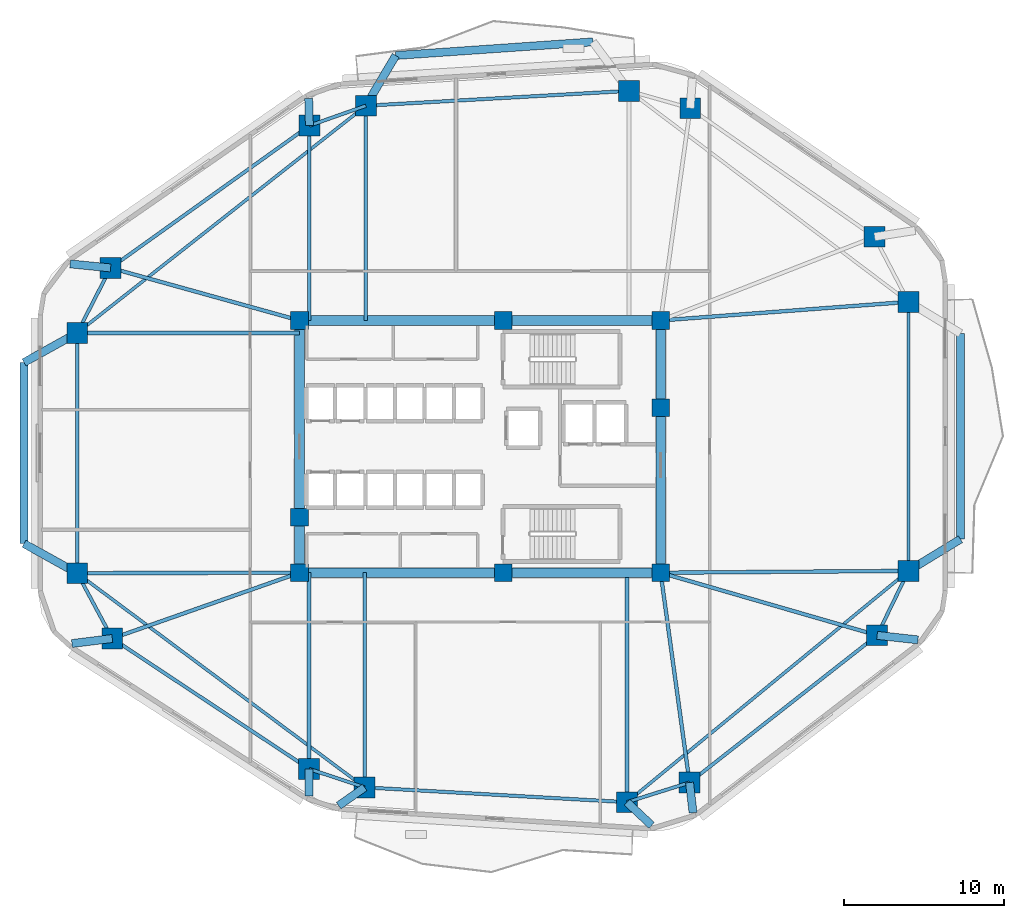
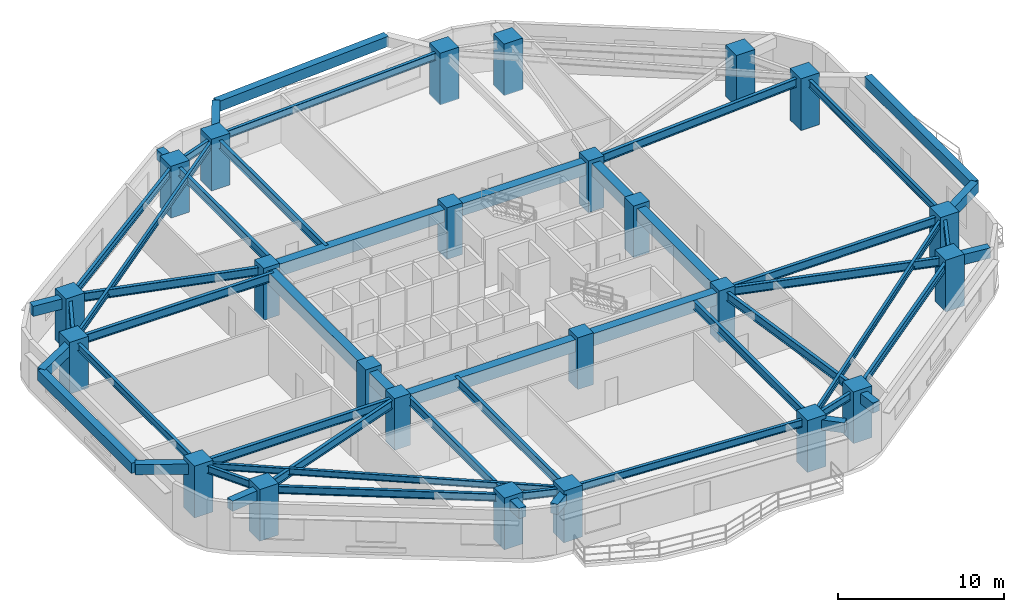
# One storey, part 1 of 8: 52 beams, 24 columns.
"""IFC4 building model written with IfcOpenShell, lengths in metres."""

import ifcopenshell
import ifcopenshell.guid

model = None  # the IFC model being written
_history = None  # IfcOwnerHistory: only IFC2X3 demands one
_inside = {}  # id of a spatial element -> (the spatial element, [elements in it])
_under = {}  # id of a project, library or spatial element -> (it, [spatial elements below it])
_declared = {}  # id of a project -> (the project, [libraries it declares])
_typed = {}  # id of a type object -> (the type object, [elements of that type])
_made_of = {}  # id of a material, layer set ... -> (it, [elements and type objects made of it])


def new_model(schema):
    """Start an empty IFC model of exactly this schema.

    Asked for "IFC4X3", IfcOpenShell would pick the latest addendum, in which some entities
    have other attributes; the version numbers below select the first issue.
    IFC2X3 requires an IfcOwnerHistory on every rooted entity: one is made here for all.
    """
    global model, _history
    if schema == "IFC4X3":
        model = ifcopenshell.file(schema_version=(4, 3, 0, 0))
    else:
        model = ifcopenshell.file(schema=schema)
    _inside.clear()
    _under.clear()
    _declared.clear()
    _typed.clear()
    _made_of.clear()
    _history = None
    if model.schema == "IFC2X3":
        org = make("IfcOrganization", Name="unknown")
        user = make(
            "IfcPersonAndOrganization",
            ThePerson=make("IfcPerson", FamilyName="unknown"),
            TheOrganization=org,
        )
        app = make(
            "IfcApplication",
            ApplicationDeveloper=org,
            Version="unknown",
            ApplicationFullName="unknown",
            ApplicationIdentifier="unknown",
        )
        _history = make(
            "IfcOwnerHistory",
            OwningUser=user,
            OwningApplication=app,
            ChangeAction="ADDED",
            CreationDate=0,
        )
    return model


def make(cls, **values):
    """One entity of the class cls with the attributes given. An attribute that is None is left unset."""
    return model.create_entity(
        cls, **{name: value for name, value in values.items() if value is not None}
    )


def rooted(cls, **values):
    """An entity with a GlobalId (a new one), such as an element, a storey or a relation."""
    return make(cls, GlobalId=ifcopenshell.guid.new(), OwnerHistory=_history, **values)


def si_unit(unit_type, name, prefix=None):
    """IfcSIUnit, for example si_unit("LENGTHUNIT", "METRE", prefix="MILLI")."""
    return make("IfcSIUnit", UnitType=unit_type, Prefix=prefix, Name=name)


def assignment(units):
    """IfcUnitAssignment: the units of a project."""
    return None if units is None else make("IfcUnitAssignment", Units=units)


def point(xyz):
    """IfcCartesianPoint."""
    return None if xyz is None else make("IfcCartesianPoint", Coordinates=xyz)


def direction(xyz):
    """IfcDirection."""
    return None if xyz is None else make("IfcDirection", DirectionRatios=xyz)


def frame(location, z_axis=None, x_axis=None):
    """IfcAxis2Placement3D, a coordinate frame: its origin and axes. An axis left out is left unset."""
    return make(
        "IfcAxis2Placement3D",
        Location=point(location),
        Axis=direction(z_axis),
        RefDirection=direction(x_axis),
    )


def frame_2d(location, x_axis=None):
    """IfcAxis2Placement2D, a coordinate frame in the plane: its origin and x axis."""
    return make(
        "IfcAxis2Placement2D", Location=point(location), RefDirection=direction(x_axis)
    )


def origin():
    """The frame at (0, 0, 0) with its axes left unset."""
    return frame((0.0, 0.0, 0.0))


def origin_2d():
    """The frame at (0, 0) in the plane with its x axis left unset."""
    return frame_2d((0.0, 0.0))


def place(relative_to, where):
    """IfcLocalPlacement: puts the frame where relative to a parent placement (None: the world)."""
    return make(
        "IfcLocalPlacement", PlacementRelTo=relative_to, RelativePlacement=where
    )


def context(
    kind, dimensions, precision=None, world=None, true_north=None, identifier=None
):
    """IfcGeometricRepresentationContext, for example the 3D "Model" context."""
    return make(
        "IfcGeometricRepresentationContext",
        ContextIdentifier=identifier,
        ContextType=kind,
        CoordinateSpaceDimension=dimensions,
        Precision=precision,
        WorldCoordinateSystem=world,
        TrueNorth=true_north,
    )


def subcontext(parent, identifier, kind, view, scale=None):
    """IfcGeometricRepresentationSubContext, for example "Body" below "Model"."""
    return make(
        "IfcGeometricRepresentationSubContext",
        ContextIdentifier=identifier,
        ContextType=kind,
        ParentContext=parent,
        TargetScale=scale,
        TargetView=view,
    )


def project(units=None, contexts=None):
    """IfcProject with its units and contexts."""
    return rooted(
        "IfcProject",
        Name="project",
        RepresentationContexts=contexts,
        UnitsInContext=assignment(units),
    )


def spatial(cls, under=None, at=None, **own):
    """A site, building, storey or space (cls), placed at a placement, below another one or the project."""
    s = rooted(cls, ObjectPlacement=at, **own)
    if under is not None:
        _under.setdefault(under.id(), (under, []))[1].append(s)
    return s


def profile(cls, at=None, kind="AREA", **sizes):
    """A parametric profile (cls). Its sizes go by their IFC names, for example OverallWidth=200.0."""
    return make(cls, ProfileType=kind, Position=at, **sizes)


def rectangle(**sizes):
    """IfcRectangleProfileDef."""
    return profile("IfcRectangleProfileDef", **sizes)


def i_section(**sizes):
    """IfcIShapeProfileDef."""
    return profile("IfcIShapeProfileDef", **sizes)


def extrude(swept, where, along, depth):
    """IfcExtrudedAreaSolid: the profile swept, set in the frame where, extruded along a direction by depth."""
    return make(
        "IfcExtrudedAreaSolid",
        SweptArea=swept,
        Position=where,
        ExtrudedDirection=direction(along),
        Depth=depth,
    )


def shape(context_of_items, identifier, shape_type, items):
    """IfcShapeRepresentation: the items that make up one representation, for example the "Body"."""
    return make(
        "IfcShapeRepresentation",
        ContextOfItems=context_of_items,
        RepresentationIdentifier=identifier,
        RepresentationType=shape_type,
        Items=items,
    )


def material(Name=None, Category=None):
    """IfcMaterial."""
    return make("IfcMaterial", Name=Name, Category=Category)


def material_profile(
    of_material, cross_section, Name=None, Category=None, Priority=None
):
    """IfcMaterialProfile: a cross section and its material."""
    return make(
        "IfcMaterialProfile",
        Name=Name,
        Material=of_material,
        Profile=cross_section,
        Priority=Priority,
        Category=Category,
    )


def profile_set(profiles, Name=None, composite=None):
    """IfcMaterialProfileSet."""
    return make(
        "IfcMaterialProfileSet",
        Name=Name,
        MaterialProfiles=profiles,
        CompositeProfile=composite,
    )


def made_of(thing, what):
    """Note that an element or type object is made of a material, layer set ...; save() writes the relation."""
    if what is not None:
        _made_of.setdefault(what.id(), (what, []))[1].append(thing)
    return thing


def type_object(cls, material=None, **own):
    """A type object (cls), such as IfcWallType, which elements share."""
    return made_of(rooted(cls, **own), material)


def element(
    cls,
    number,
    at=None,
    inside=None,
    cuts=None,
    type_object=None,
    material=None,
    context=None,
    identifier="Body",
    shape_type=None,
    held_by="IfcProductDefinitionShape",
    body=None,
    shapes=None,
    **own,
):
    """One element of the class cls, such as IfcWall. Its Tag is "e" and its number.

    at: its placement. inside: the storey or other place that contains it. cuts: it is an
    opening in that element (IfcRelVoidsElement). A single representation is given by context,
    identifier, shape_type and body (its items); several are given by shapes. held_by: the class
    of the entity that holds the representations. save() writes the other relations.
    """
    e = rooted(cls, Tag="e%d" % number, ObjectPlacement=at, **own)
    if body is not None:
        shapes = [shape(context, identifier, shape_type, body)]
    if shapes is not None:
        e.Representation = make(held_by, Representations=shapes)
    if inside is not None:
        _inside.setdefault(inside.id(), (inside, []))[1].append(e)
    if cuts is not None:
        rooted(
            "IfcRelVoidsElement", RelatingBuildingElement=cuts, RelatedOpeningElement=e
        )
    if type_object is not None:
        _typed.setdefault(type_object.id(), (type_object, []))[1].append(e)
    return made_of(e, material)


def aggregate(whole, parts):
    """IfcRelAggregates: a whole, such as a stair, and the parts it consists of."""
    return rooted("IfcRelAggregates", RelatingObject=whole, RelatedObjects=parts)


def save(model, path):
    """Write the relations noted so far, then the file.

    IfcRelAggregates (storeys below a building ...), IfcRelContainedInSpatialStructure (elements
    in a storey), IfcRelDefinesByType, IfcRelAssociatesMaterial and IfcRelDeclares: one each for
    every whole, place, type object, material and project.
    """
    for whole, parts in _under.values():
        aggregate(whole, parts)
    for where, things in _inside.values():
        rooted(
            "IfcRelContainedInSpatialStructure",
            RelatedElements=things,
            RelatingStructure=where,
        )
    for kind, things in _typed.values():
        rooted("IfcRelDefinesByType", RelatedObjects=things, RelatingType=kind)
    for what, things in _made_of.values():
        rooted("IfcRelAssociatesMaterial", RelatedObjects=things, RelatingMaterial=what)
    for by, libraries in _declared.values():
        rooted("IfcRelDeclares", RelatingContext=by, RelatedDefinitions=libraries)
    model.write(path)


model = new_model("IFC4")

# Units and contexts
model_context = context("Model", 3, precision=1e-05, world=origin(), true_north=direction((0.0, 1.0)))
body_context = subcontext(model_context, "Body", "Model", "MODEL_VIEW")
ifc_project = project(units=[si_unit("LENGTHUNIT", "METRE"), si_unit("AREAUNIT", "SQUARE_METRE"), si_unit("VOLUMEUNIT", "CUBIC_METRE"), si_unit("PLANEANGLEUNIT", "RADIAN"), si_unit("MASSUNIT", "GRAM", prefix="KILO")], contexts=[model_context])

# Site, building, storey
site_placement = place(None, origin())
site = spatial("IfcSite", under=ifc_project, at=site_placement, CompositionType="ELEMENT")
building_placement = place(site_placement, origin())
building = spatial("IfcBuilding", under=site, at=building_placement, Name="Zulverin Broadcast Headquarters", CompositionType="ELEMENT")
storey_placement = place(building_placement, frame((0.0, 0.0, 44.0)))
storey = spatial("IfcBuildingStorey", under=building, at=storey_placement, Name="L10", CompositionType="ELEMENT", Elevation=44.0)

# Columns
ifc_material_1 = material(Name="Concrete C60/75", Category="concrete")
ifc_material_profile_1 = material_profile(ifc_material_1, rectangle(XDim=1.300048828125, YDim=1.300048828125, at=origin_2d()), Name="Concrete C60/75", Category="concrete")
ifc_profile_set_1 = profile_set([ifc_material_profile_1], Name="Concrete C60/75")
column_type_1 = type_object("IfcColumnType", Name="COL-RC-1300", PredefinedType="COLUMN", material=ifc_profile_set_1)
for number, where, z_axis, x_axis, name in (
    (1, (29.79638671875, 3.922119140625, 0.0), (0.0, 0.0, 1.0), (1.0, 0.0, 0.0), "L10 Perimeter Column T01"),
    (2, (46.175048828125, 2.997802734375, 0.0), (0.0, 0.0, 1.0), (1.0, 0.0, 0.0), "L10 Perimeter Column T02"),
    (3, (50.08056640625, 4.22509765625, 0.0), (0.0, 0.0, 1.0), (1.0, 0.0, 0.0), "L10 Perimeter Column T03"),
    (4, (61.79296875, 13.416259765625, 0.0), (0.0, 0.0, 1.0), (1.0, 0.0, 0.0), "L10 Perimeter Column T04"),
    (5, (63.75, 17.439697265625, 0.0), (0.0, 0.0, 1.0), (1.0, 0.0, 0.0), "L10 Perimeter Column T05"),
    (6, (63.75, 34.235107421875, 0.0), (0.0, 0.0, 1.0), (1.0, 0.0, 0.0), "L10 Perimeter Column T06"),
    (7, (61.630126953125, 38.298583984375, 0.0), (0.0, 0.0, 1.0), (1.0, 0.0, 0.0), "L10 Perimeter Column T07"),
    (8, (50.121826171875, 46.325927734375, 0.0), (0.0, 0.0, 1.0), (1.0, 0.0, 0.0), "L10 Perimeter Column T08"),
    (9, (46.30224609375, 47.4091796875, 0.0), (0.0, 0.0, 1.0), (1.0, 0.0, 0.0), "L10 Perimeter Column T09"),
    (10, (29.873779296875, 46.482177734375, 0.0), (0.0, 0.0, 1.0), (1.0, 0.0, 0.0), "L10 Perimeter Column T10"),
    (11, (26.344482421875, 45.23828125, 0.0), (0.0, 0.0, 1.0), (1.0, 0.0, 0.0), "L10 Perimeter Column T11"),
    (12, (13.934326171875, 36.353759765625, 0.0), (0.0, 0.0, 1.0), (1.0, 0.0, 0.0), "L10 Perimeter Column T12"),
    (13, (11.85009765625, 32.298095703125, 0.0), (0.0, 0.0, 1.0), (1.0, 0.0, 0.0), "L10 Perimeter Column T13"),
    (14, (11.85009765625, 17.297607421875, 0.0), (0.0, 0.0, 1.0), (1.0, 0.0, 0.0), "L10 Perimeter Column T14"),
    (15, (14.0390625, 13.219970703125, 0.0), (0.0, 0.0, 1.0), (1.0, 0.0, 0.0), "L10 Perimeter Column T15"),
    (16, (26.3251953125, 5.075927734375, 0.0), (0.0, 0.0, 1.0), (1.0, 0.0, 0.0), "L10 Perimeter Column T16"),
):
    element("IfcColumn", number, at=place(storey_placement, frame(where, z_axis=z_axis, x_axis=x_axis)), inside=storey, type_object=column_type_1, Name=name, PredefinedType="COLUMN", context=body_context, shape_type="SweptSolid", body=[
        extrude(rectangle(XDim=1.300048828125, YDim=1.300048828125, at=origin_2d()), origin(), (0.0, 0.0, 1.0), 3.800048828125),
    ])
ifc_material_profile_2 = material_profile(ifc_material_1, rectangle(XDim=1.10009765625, YDim=1.10009765625, at=origin_2d()), Name="Concrete C60/75", Category="concrete")
ifc_profile_set_2 = profile_set([ifc_material_profile_2], Name="Concrete C60/75")
column_type_2 = type_object("IfcColumnType", Name="PIL-RC-1100", PredefinedType="PILASTER", material=ifc_profile_set_2)
for number, where, z_axis, x_axis, name in (
    (17, (25.72509765625, 17.324951171875, 0.0), (0.0, 0.0, 1.0), (1.0, 0.0, 0.0), "L10 Core Pilaster K01"),
    (18, (38.449951171875, 17.324951171875, 0.0), (0.0, 0.0, 1.0), (1.0, 0.0, 0.0), "L10 Core Pilaster K02"),
    (19, (48.27490234375, 17.324951171875, 0.0), (0.0, 0.0, 1.0), (1.0, 0.0, 0.0), "L10 Core Pilaster K03"),
    (20, (48.27490234375, 27.6201171875, 0.0), (0.0, 0.0, 1.0), (1.0, 0.0, 0.0), "L10 Core Pilaster K04"),
    (21, (48.27490234375, 33.074951171875, 0.0), (0.0, 0.0, 1.0), (1.0, 0.0, 0.0), "L10 Core Pilaster K05"),
    (22, (38.449951171875, 33.074951171875, 0.0), (0.0, 0.0, 1.0), (1.0, 0.0, 0.0), "L10 Core Pilaster K06"),
    (23, (25.72509765625, 33.074951171875, 0.0), (0.0, 0.0, 1.0), (1.0, 0.0, 0.0), "L10 Core Pilaster K07"),
    (24, (25.72509765625, 20.800048828125, 0.0), (0.0, 0.0, 1.0), (1.0, 0.0, 0.0), "L10 Core Pilaster K08"),
):
    element("IfcColumn", number, at=place(storey_placement, frame(where, z_axis=z_axis, x_axis=x_axis)), inside=storey, type_object=column_type_2, Name=name, PredefinedType="PILASTER", context=body_context, shape_type="SweptSolid", body=[
        extrude(rectangle(XDim=1.10009765625, YDim=1.10009765625, at=origin_2d()), origin(), (0.0, 0.0, 1.0), 3.800048828125),
    ])

# Beams
ifc_material_profile_3 = material_profile(ifc_material_1, rectangle(XDim=0.60009765625, YDim=0.89990234375, at=origin_2d()), Name="Concrete C60/75", Category="concrete")
ifc_profile_set_3 = profile_set([ifc_material_profile_3], Name="Concrete C60/75")
beam_type_1 = type_object("IfcBeamType", Name="BM-CB-600x900", PredefinedType="LINTEL", material=ifc_profile_set_3)
beam_1_placement = place(storey_placement, frame((25.72509765625, 17.324951171875, 3.074951171875), z_axis=(1.0, 0.0, 0.0), x_axis=(0.0, 1.0, 0.0)))
element("IfcBeam", 25, at=beam_1_placement, inside=storey, type_object=beam_type_1, Name="L10 Core Coupling Girder K01-K02", PredefinedType="LINTEL", context=body_context, shape_type="SweptSolid", body=[
    extrude(rectangle(XDim=0.60009765625, YDim=0.89990234375, at=origin_2d()), origin(), (0.0, 0.0, 1.0), 12.724853515625),
])
beam_2_placement = place(storey_placement, frame((38.449951171875, 17.324951171875, 3.074951171875), z_axis=(1.0, 0.0, 0.0), x_axis=(0.0, 1.0, 0.0)))
element("IfcBeam", 26, at=beam_2_placement, inside=storey, type_object=beam_type_1, Name="L10 Core Coupling Girder K02-K03", PredefinedType="LINTEL", context=body_context, shape_type="SweptSolid", body=[
    extrude(rectangle(XDim=0.60009765625, YDim=0.89990234375, at=origin_2d()), origin(), (0.0, 0.0, 1.0), 9.824951171875),
])
beam_3_placement = place(storey_placement, frame((48.27490234375, 17.324951171875, 3.074951171875), z_axis=(0.0, 1.0, 0.0), x_axis=(-1.0, 0.0, 0.0)))
element("IfcBeam", 27, at=beam_3_placement, inside=storey, type_object=beam_type_1, Name="L10 Core Coupling Girder K03-K04", PredefinedType="LINTEL", context=body_context, shape_type="SweptSolid", body=[
    extrude(rectangle(XDim=0.60009765625, YDim=0.89990234375, at=origin_2d()), origin(), (0.0, 0.0, 1.0), 10.295166015625),
])
beam_4_placement = place(storey_placement, frame((48.27490234375, 27.6201171875, 3.074951171875), z_axis=(0.0, 1.0, 0.0), x_axis=(-1.0, 0.0, 0.0)))
element("IfcBeam", 28, at=beam_4_placement, inside=storey, type_object=beam_type_1, Name="L10 Core Coupling Girder K04-K05", PredefinedType="LINTEL", context=body_context, shape_type="SweptSolid", body=[
    extrude(rectangle(XDim=0.60009765625, YDim=0.89990234375, at=origin_2d()), origin(), (0.0, 0.0, 1.0), 5.454833984375),
])
beam_5_placement = place(storey_placement, frame((48.27490234375, 33.074951171875, 3.074951171875), z_axis=(-1.0, 0.0, 0.0), x_axis=(0.0, -1.0, 0.0)))
element("IfcBeam", 29, at=beam_5_placement, inside=storey, type_object=beam_type_1, Name="L10 Core Coupling Girder K05-K06", PredefinedType="LINTEL", context=body_context, shape_type="SweptSolid", body=[
    extrude(rectangle(XDim=0.60009765625, YDim=0.89990234375, at=origin_2d()), origin(), (0.0, 0.0, 1.0), 9.824951171875),
])
beam_6_placement = place(storey_placement, frame((38.449951171875, 33.074951171875, 3.074951171875), z_axis=(-1.0, 0.0, 0.0), x_axis=(0.0, -1.0, 0.0)))
element("IfcBeam", 30, at=beam_6_placement, inside=storey, type_object=beam_type_1, Name="L10 Core Coupling Girder K06-K07", PredefinedType="LINTEL", context=body_context, shape_type="SweptSolid", body=[
    extrude(rectangle(XDim=0.60009765625, YDim=0.89990234375, at=origin_2d()), origin(), (0.0, 0.0, 1.0), 12.724853515625),
])
beam_7_placement = place(storey_placement, frame((25.72509765625, 33.074951171875, 3.074951171875), z_axis=(0.0, -1.0, 0.0), x_axis=(1.0, 0.0, 0.0)))
element("IfcBeam", 31, at=beam_7_placement, inside=storey, type_object=beam_type_1, Name="L10 Core Coupling Girder K07-K08", PredefinedType="LINTEL", context=body_context, shape_type="SweptSolid", body=[
    extrude(rectangle(XDim=0.60009765625, YDim=0.89990234375, at=origin_2d()), origin(), (0.0, 0.0, 1.0), 12.27490234375),
])
beam_8_placement = place(storey_placement, frame((25.72509765625, 20.800048828125, 3.074951171875), z_axis=(0.0, -1.0, 0.0), x_axis=(1.0, 0.0, 0.0)))
element("IfcBeam", 32, at=beam_8_placement, inside=storey, type_object=beam_type_1, Name="L10 Core Coupling Girder K08-K01", PredefinedType="LINTEL", context=body_context, shape_type="SweptSolid", body=[
    extrude(rectangle(XDim=0.60009765625, YDim=0.89990234375, at=origin_2d()), origin(), (0.0, 0.0, 1.0), 3.47509765625),
])
ifc_material_2 = material(Name="Concrete C40/50", Category="concrete")
ifc_material_profile_4 = material_profile(ifc_material_2, rectangle(XDim=0.5, YDim=0.75, at=origin_2d()), Name="Concrete C40/50", Category="concrete")
ifc_profile_set_4 = profile_set([ifc_material_profile_4], Name="Concrete C40/50")
beam_type_2 = type_object("IfcBeamType", Name="BM-RC-500x750", PredefinedType="BEAM", material=ifc_profile_set_4)
beam_9_placement = place(storey_placement, frame((29.79638671875, 3.922119140625, 3.14990234375), z_axis=(-0.817789251944, -0.575517801119, 0.0), x_axis=(0.575517801119, -0.817789251944, 0.0)))
element("IfcBeam", 33, at=beam_9_placement, inside=storey, type_object=beam_type_2, Name="L11 Plate Overhang Back-Spanned Beam OVR-01", PredefinedType="BEAM", context=body_context, shape_type="SweptSolid", body=[
    extrude(rectangle(XDim=0.5, YDim=0.75, at=origin_2d()), origin(), (0.0, 0.0, 1.0), 1.983154296875),
])
beam_10_placement = place(storey_placement, frame((46.175048828125, 2.997802734375, 3.14990234375), z_axis=(0.727711332613, -0.685883529754, 0.0), x_axis=(0.685883529754, 0.727711332613, 0.0)))
element("IfcBeam", 34, at=beam_10_placement, inside=storey, type_object=beam_type_2, Name="L11 Plate Overhang Back-Spanned Beam OVR-02", PredefinedType="BEAM", context=body_context, shape_type="SweptSolid", body=[
    extrude(rectangle(XDim=0.5, YDim=0.75, at=origin_2d()), origin(), (0.0, 0.0, 1.0), 2.113037109375),
])
beam_11_placement = place(storey_placement, frame((50.08056640625, 4.22509765625, 3.14990234375), z_axis=(0.115916621896, -0.99325894749, 0.0), x_axis=(0.99325894749, 0.115916621896, 0.0)))
element("IfcBeam", 35, at=beam_11_placement, inside=storey, type_object=beam_type_2, Name="L11 Plate Overhang Back-Spanned Beam OVR-03", PredefinedType="BEAM", context=body_context, shape_type="SweptSolid", body=[
    extrude(rectangle(XDim=0.5, YDim=0.75, at=origin_2d()), origin(), (0.0, 0.0, 1.0), 1.899658203125),
])
beam_12_placement = place(storey_placement, frame((61.79296875, 13.416259765625, 3.14990234375), z_axis=(0.993797661948, -0.111203449166, 0.0), x_axis=(0.111203449166, 0.993797661948, 0.0)))
element("IfcBeam", 36, at=beam_12_placement, inside=storey, type_object=beam_type_2, Name="L11 Plate Overhang Back-Spanned Beam OVR-04", PredefinedType="BEAM", context=body_context, shape_type="SweptSolid", body=[
    extrude(rectangle(XDim=0.5, YDim=0.75, at=origin_2d()), origin(), (0.0, 0.0, 1.0), 2.568603515625),
])
beam_13_placement = place(storey_placement, frame((26.344482421875, 45.23828125, 3.14990234375), z_axis=(-0.025024345209, 0.999686842039, 0.0), x_axis=(-0.999686842039, -0.025024345209, 0.0)))
element("IfcBeam", 37, at=beam_13_placement, inside=storey, type_object=beam_type_2, Name="L11 Plate Overhang Back-Spanned Beam OVR-11", PredefinedType="BEAM", context=body_context, shape_type="SweptSolid", body=[
    extrude(rectangle(XDim=0.5, YDim=0.75, at=origin_2d()), origin(), (0.0, 0.0, 1.0), 1.707275390625),
])
beam_14_placement = place(storey_placement, frame((13.934326171875, 36.353759765625, 3.14990234375), z_axis=(-0.995008621602, 0.09978899207, 0.0), x_axis=(-0.09978899207, -0.995008621602, 0.0)))
element("IfcBeam", 38, at=beam_14_placement, inside=storey, type_object=beam_type_2, Name="L11 Plate Overhang Back-Spanned Beam OVR-12", PredefinedType="BEAM", context=body_context, shape_type="SweptSolid", body=[
    extrude(rectangle(XDim=0.5, YDim=0.75, at=origin_2d()), origin(), (0.0, 0.0, 1.0), 2.5419921875),
])
beam_15_placement = place(storey_placement, frame((14.0390625, 13.219970703125, 3.14990234375), z_axis=(-0.992258640565, -0.124188526941, 0.0), x_axis=(0.124188526941, -0.992258640565, 0.0)))
element("IfcBeam", 39, at=beam_15_placement, inside=storey, type_object=beam_type_2, Name="L11 Plate Overhang Back-Spanned Beam OVR-15", PredefinedType="BEAM", context=body_context, shape_type="SweptSolid", body=[
    extrude(rectangle(XDim=0.5, YDim=0.75, at=origin_2d()), origin(), (0.0, 0.0, 1.0), 2.5400390625),
])
beam_16_placement = place(storey_placement, frame((26.3251953125, 5.075927734375, 3.14990234375), z_axis=(0.006204786761, -0.999980750125, 0.0), x_axis=(0.999980750125, 0.006204786761, 0.0)))
element("IfcBeam", 40, at=beam_16_placement, inside=storey, type_object=beam_type_2, Name="L11 Plate Overhang Back-Spanned Beam OVR-16", PredefinedType="BEAM", context=body_context, shape_type="SweptSolid", body=[
    extrude(rectangle(XDim=0.5, YDim=0.75, at=origin_2d()), origin(), (0.0, 0.0, 1.0), 1.69189453125),
])
beam_17_placement = place(storey_placement, frame((63.75, 17.439697265625, 3.14990234375), z_axis=(0.853769010652, 0.520651972483, 0.0), x_axis=(-0.520651972483, 0.853769010652, 0.0)))
element("IfcBeam", 41, at=beam_17_placement, inside=storey, type_object=beam_type_2, Name="L11 Balcony Column-Framed Cantilever BAL_E-1", PredefinedType="BEAM", context=body_context, shape_type="SweptSolid", body=[
    extrude(rectangle(XDim=0.5, YDim=0.75, at=origin_2d()), origin(), (0.0, 0.0, 1.0), 3.800048828125),
])
beam_18_placement = place(storey_placement, frame((66.994384765625, 19.418212890625, 3.14990234375), z_axis=(0.000531985561, 0.999999858496, 0.0), x_axis=(-0.999999858496, 0.000531985561, 0.0)))
element("IfcBeam", 42, at=beam_18_placement, inside=storey, type_object=beam_type_2, Name="L11 Balcony Outer Edge Trimmer Beam BAL_E", PredefinedType="BEAM", context=body_context, shape_type="SweptSolid", body=[
    extrude(rectangle(XDim=0.5, YDim=0.75, at=origin_2d()), origin(), (0.0, 0.0, 1.0), 12.849853515625),
])
beam_19_placement = place(storey_placement, frame((29.873779296875, 46.482177734375, 3.14990234375), z_axis=(0.511007233639, 0.859576411477, 0.0), x_axis=(-0.859576411477, 0.511007233639, 0.0)))
element("IfcBeam", 43, at=beam_19_placement, inside=storey, type_object=beam_type_2, Name="L11 Balcony Column-Framed Cantilever BAL_N-2", PredefinedType="BEAM", context=body_context, shape_type="SweptSolid", body=[
    extrude(rectangle(XDim=0.5, YDim=0.75, at=origin_2d()), origin(), (0.0, 0.0, 1.0), 3.647705078125),
])
beam_20_placement = place(storey_placement, frame((44.049072265625, 50.46923828125, 3.14990234375), z_axis=(-0.997616354187, -0.069004419129, 0.0), x_axis=(0.069004419129, -0.997616354187, 0.0)))
element("IfcBeam", 44, at=beam_20_placement, inside=storey, type_object=beam_type_2, Name="L11 Balcony Outer Edge Trimmer Beam BAL_N", PredefinedType="BEAM", context=body_context, shape_type="SweptSolid", body=[
    extrude(rectangle(XDim=0.5, YDim=0.75, at=origin_2d()), origin(), (0.0, 0.0, 1.0), 12.340576171875),
])
beam_21_placement = place(storey_placement, frame((11.85009765625, 32.298095703125, 3.14990234375), z_axis=(-0.873763019306, -0.486351915893, 0.0), x_axis=(0.486351915893, -0.873763019306, 0.0)))
element("IfcBeam", 45, at=beam_21_placement, inside=storey, type_object=beam_type_2, Name="L11 Balcony Column-Framed Cantilever BAL_W-1", PredefinedType="BEAM", context=body_context, shape_type="SweptSolid", body=[
    extrude(rectangle(XDim=0.5, YDim=0.75, at=origin_2d()), origin(), (0.0, 0.0, 1.0), 3.800048828125),
])
beam_22_placement = place(storey_placement, frame((11.85009765625, 17.297607421875, 3.14990234375), z_axis=(-0.874363278793, 0.485271940975, 0.0), x_axis=(-0.485271940975, -0.874363278793, 0.0)))
element("IfcBeam", 46, at=beam_22_placement, inside=storey, type_object=beam_type_2, Name="L11 Balcony Column-Framed Cantilever BAL_W-2", PredefinedType="BEAM", context=body_context, shape_type="SweptSolid", body=[
    extrude(rectangle(XDim=0.5, YDim=0.75, at=origin_2d()), origin(), (0.0, 0.0, 1.0), 3.7998046875),
])
beam_23_placement = place(storey_placement, frame((8.52978515625, 30.449951171875, 3.14990234375), z_axis=(-0.000194304709, -0.999999981123, 0.0), x_axis=(0.999999981123, -0.000194304709, 0.0)))
element("IfcBeam", 47, at=beam_23_placement, inside=storey, type_object=beam_type_2, Name="L11 Balcony Outer Edge Trimmer Beam BAL_W", PredefinedType="BEAM", context=body_context, shape_type="SweptSolid", body=[
    extrude(rectangle(XDim=0.5, YDim=0.75, at=origin_2d()), origin(), (0.0, 0.0, 1.0), 11.308349609375),
])
ifc_material_3 = material(Name="Structural steel S355JR", Category="steel")
ifc_material_profile_5 = material_profile(ifc_material_3, i_section(OverallWidth=0.19287109375, OverallDepth=0.46728515625, WebThickness=0.011474609375, FlangeThickness=0.01953125, at=origin_2d()), Name="Structural steel S355JR", Category="steel")
ifc_profile_set_5 = profile_set([ifc_material_profile_5], Name="Structural steel S355JR")
beam_type_3 = type_object("IfcBeamType", Name="BM-UB-457", PredefinedType="JOIST", material=ifc_profile_set_5)
beam_24_placement = place(storey_placement, frame((46.175048828125, 2.997802734375, 3.29150390625), z_axis=(0.772611370623, 0.634879256224, 0.0), x_axis=(-0.634879256224, 0.772611370623, 0.0)))
element("IfcBeam", 48, at=beam_24_placement, inside=storey, type_object=beam_type_3, Name="L10 Chordal Floor Joist J-01", PredefinedType="JOIST", context=body_context, shape_type="SweptSolid", body=[
    extrude(i_section(OverallWidth=0.19287109375, OverallDepth=0.46728515625, WebThickness=0.011474609375, FlangeThickness=0.01953125, at=origin_2d()), origin(), (0.0, 0.0, 1.0), 22.74755859375),
])
beam_25_placement = place(storey_placement, frame((29.873779296875, 46.482177734375, 3.29150390625), z_axis=(-0.78583902739, -0.618431098047, 0.0), x_axis=(0.618431098047, -0.78583902739, 0.0)))
element("IfcBeam", 49, at=beam_25_placement, inside=storey, type_object=beam_type_3, Name="L10 Chordal Floor Joist J-03", PredefinedType="JOIST", context=body_context, shape_type="SweptSolid", body=[
    extrude(i_section(OverallWidth=0.19287109375, OverallDepth=0.46728515625, WebThickness=0.011474609375, FlangeThickness=0.01953125, at=origin_2d()), origin(), (0.0, 0.0, 1.0), 22.935546875),
])
beam_26_placement = place(storey_placement, frame((11.85009765625, 17.297607421875, 3.29150390625), z_axis=(0.801802688634, -0.59758886243, 0.0), x_axis=(0.59758886243, 0.801802688634, 0.0)))
element("IfcBeam", 50, at=beam_26_placement, inside=storey, type_object=beam_type_3, Name="L10 Chordal Floor Joist J-04", PredefinedType="JOIST", context=body_context, shape_type="SweptSolid", body=[
    extrude(i_section(OverallWidth=0.19287109375, OverallDepth=0.46728515625, WebThickness=0.011474609375, FlangeThickness=0.01953125, at=origin_2d()), origin(), (0.0, 0.0, 1.0), 22.38232421875),
])
ifc_material_profile_6 = material_profile(ifc_material_3, i_section(OverallWidth=0.2119140625, OverallDepth=0.54443359375, WebThickness=0.0126953125, FlangeThickness=0.021240234375, at=origin_2d()), Name="Structural steel S355JR", Category="steel")
ifc_profile_set_6 = profile_set([ifc_material_profile_6], Name="Structural steel S355JR")
beam_type_4 = type_object("IfcBeamType", Name="BM-UB-533", PredefinedType="SPANDREL", material=ifc_profile_set_6)
beam_27_placement = place(storey_placement, frame((29.79638671875, 3.922119140625, 3.252685546875), z_axis=(0.998411385104, -0.056344530297, 0.0), x_axis=(0.056344530297, 0.998411385104, 0.0)))
element("IfcBeam", 51, at=beam_27_placement, inside=storey, type_object=beam_type_4, Name="L10 Perimeter Spandrel Beam SP-01", PredefinedType="SPANDREL", context=body_context, shape_type="SweptSolid", body=[
    extrude(i_section(OverallWidth=0.2119140625, OverallDepth=0.54443359375, WebThickness=0.0126953125, FlangeThickness=0.021240234375, at=origin_2d()), origin(), (0.0, 0.0, 1.0), 16.40478515625),
])
beam_28_placement = place(storey_placement, frame((46.175048828125, 2.997802734375, 3.252685546875), z_axis=(0.954004438448, 0.299792480595, 0.0), x_axis=(-0.299792480595, 0.954004438448, 0.0)))
element("IfcBeam", 52, at=beam_28_placement, inside=storey, type_object=beam_type_4, Name="L10 Perimeter Spandrel Beam SP-02", PredefinedType="SPANDREL", context=body_context, shape_type="SweptSolid", body=[
    extrude(i_section(OverallWidth=0.2119140625, OverallDepth=0.54443359375, WebThickness=0.0126953125, FlangeThickness=0.021240234375, at=origin_2d()), origin(), (0.0, 0.0, 1.0), 4.09375),
])
beam_29_placement = place(storey_placement, frame((50.08056640625, 4.22509765625, 3.252685546875), z_axis=(0.786691476208, 0.617346354376, 0.0), x_axis=(-0.617346354376, 0.786691476208, 0.0)))
element("IfcBeam", 53, at=beam_29_placement, inside=storey, type_object=beam_type_4, Name="L10 Perimeter Spandrel Beam SP-03", PredefinedType="SPANDREL", context=body_context, shape_type="SweptSolid", body=[
    extrude(i_section(OverallWidth=0.2119140625, OverallDepth=0.54443359375, WebThickness=0.0126953125, FlangeThickness=0.021240234375, at=origin_2d()), origin(), (0.0, 0.0, 1.0), 14.88818359375),
])
beam_30_placement = place(storey_placement, frame((61.79296875, 13.416259765625, 3.252685546875), z_axis=(0.437408475872, 0.899262934428, 0.0), x_axis=(-0.899262934428, 0.437408475872, 0.0)))
element("IfcBeam", 54, at=beam_30_placement, inside=storey, type_object=beam_type_4, Name="L10 Perimeter Spandrel Beam SP-04", PredefinedType="SPANDREL", context=body_context, shape_type="SweptSolid", body=[
    extrude(i_section(OverallWidth=0.2119140625, OverallDepth=0.54443359375, WebThickness=0.0126953125, FlangeThickness=0.021240234375, at=origin_2d()), origin(), (0.0, 0.0, 1.0), 4.47412109375),
])
beam_31_placement = place(storey_placement, frame((63.75, 17.439697265625, 3.252685546875), z_axis=(0.0, 1.0, 0.0), x_axis=(-1.0, 0.0, 0.0)))
element("IfcBeam", 55, at=beam_31_placement, inside=storey, type_object=beam_type_4, Name="L10 Perimeter Spandrel Beam SP-05", PredefinedType="SPANDREL", context=body_context, shape_type="SweptSolid", body=[
    extrude(i_section(OverallWidth=0.2119140625, OverallDepth=0.54443359375, WebThickness=0.0126953125, FlangeThickness=0.021240234375, at=origin_2d()), origin(), (0.0, 0.0, 1.0), 16.79541015625),
])
beam_32_placement = place(storey_placement, frame((46.30224609375, 47.4091796875, 3.252685546875), z_axis=(-0.998411812904, -0.056336949274, 0.0), x_axis=(0.056336949274, -0.998411812904, 0.0)))
element("IfcBeam", 56, at=beam_32_placement, inside=storey, type_object=beam_type_4, Name="L10 Perimeter Spandrel Beam SP-09", PredefinedType="SPANDREL", context=body_context, shape_type="SweptSolid", body=[
    extrude(i_section(OverallWidth=0.2119140625, OverallDepth=0.54443359375, WebThickness=0.0126953125, FlangeThickness=0.021240234375, at=origin_2d()), origin(), (0.0, 0.0, 1.0), 16.45458984375),
])
beam_33_placement = place(storey_placement, frame((29.873779296875, 46.482177734375, 3.252685546875), z_axis=(-0.943135983398, -0.332407155189, 0.0), x_axis=(0.332407155189, -0.943135983398, 0.0)))
element("IfcBeam", 57, at=beam_33_placement, inside=storey, type_object=beam_type_4, Name="L10 Perimeter Spandrel Beam SP-10", PredefinedType="SPANDREL", context=body_context, shape_type="SweptSolid", body=[
    extrude(i_section(OverallWidth=0.2119140625, OverallDepth=0.54443359375, WebThickness=0.0126953125, FlangeThickness=0.021240234375, at=origin_2d()), origin(), (0.0, 0.0, 1.0), 3.7421875),
])
beam_34_placement = place(storey_placement, frame((26.344482421875, 45.23828125, 3.252685546875), z_axis=(-0.813109374453, -0.582110938891, 0.0), x_axis=(0.582110938891, -0.813109374453, 0.0)))
element("IfcBeam", 58, at=beam_34_placement, inside=storey, type_object=beam_type_4, Name="L10 Perimeter Spandrel Beam SP-11", PredefinedType="SPANDREL", context=body_context, shape_type="SweptSolid", body=[
    extrude(i_section(OverallWidth=0.2119140625, OverallDepth=0.54443359375, WebThickness=0.0126953125, FlangeThickness=0.021240234375, at=origin_2d()), origin(), (0.0, 0.0, 1.0), 15.2626953125),
])
beam_35_placement = place(storey_placement, frame((13.934326171875, 36.353759765625, 3.252685546875), z_axis=(-0.457080631948, -0.889425261558, 0.0), x_axis=(0.889425261558, -0.457080631948, 0.0)))
element("IfcBeam", 59, at=beam_35_placement, inside=storey, type_object=beam_type_4, Name="L10 Perimeter Spandrel Beam SP-12", PredefinedType="SPANDREL", context=body_context, shape_type="SweptSolid", body=[
    extrude(i_section(OverallWidth=0.2119140625, OverallDepth=0.54443359375, WebThickness=0.0126953125, FlangeThickness=0.021240234375, at=origin_2d()), origin(), (0.0, 0.0, 1.0), 4.559814453125),
])
beam_36_placement = place(storey_placement, frame((11.85009765625, 32.298095703125, 3.252685546875), z_axis=(0.0, -1.0, 0.0), x_axis=(1.0, 0.0, 0.0)))
element("IfcBeam", 60, at=beam_36_placement, inside=storey, type_object=beam_type_4, Name="L10 Perimeter Spandrel Beam SP-13", PredefinedType="SPANDREL", context=body_context, shape_type="SweptSolid", body=[
    extrude(i_section(OverallWidth=0.2119140625, OverallDepth=0.54443359375, WebThickness=0.0126953125, FlangeThickness=0.021240234375, at=origin_2d()), origin(), (0.0, 0.0, 1.0), 15.00048828125),
])
beam_37_placement = place(storey_placement, frame((11.85009765625, 17.297607421875, 3.252685546875), z_axis=(0.472979536362, -0.881073412482, 0.0), x_axis=(0.881073412482, 0.472979536362, 0.0)))
element("IfcBeam", 61, at=beam_37_placement, inside=storey, type_object=beam_type_4, Name="L10 Perimeter Spandrel Beam SP-14", PredefinedType="SPANDREL", context=body_context, shape_type="SweptSolid", body=[
    extrude(i_section(OverallWidth=0.2119140625, OverallDepth=0.54443359375, WebThickness=0.0126953125, FlangeThickness=0.021240234375, at=origin_2d()), origin(), (0.0, 0.0, 1.0), 4.6279296875),
])
beam_38_placement = place(storey_placement, frame((14.0390625, 13.219970703125, 3.252685546875), z_axis=(0.833510030956, -0.552504324232, 0.0), x_axis=(0.552504324232, 0.833510030956, 0.0)))
element("IfcBeam", 62, at=beam_38_placement, inside=storey, type_object=beam_type_4, Name="L10 Perimeter Spandrel Beam SP-15", PredefinedType="SPANDREL", context=body_context, shape_type="SweptSolid", body=[
    extrude(i_section(OverallWidth=0.2119140625, OverallDepth=0.54443359375, WebThickness=0.0126953125, FlangeThickness=0.021240234375, at=origin_2d()), origin(), (0.0, 0.0, 1.0), 14.740234375),
])
beam_39_placement = place(storey_placement, frame((26.3251953125, 5.075927734375, 3.252685546875), z_axis=(0.948949931395, -0.315426739047, 0.0), x_axis=(0.315426739047, 0.948949931395, 0.0)))
element("IfcBeam", 63, at=beam_39_placement, inside=storey, type_object=beam_type_4, Name="L10 Perimeter Spandrel Beam SP-16", PredefinedType="SPANDREL", context=body_context, shape_type="SweptSolid", body=[
    extrude(i_section(OverallWidth=0.2119140625, OverallDepth=0.54443359375, WebThickness=0.0126953125, FlangeThickness=0.021240234375, at=origin_2d()), origin(), (0.0, 0.0, 1.0), 3.657958984375),
])
ifc_material_profile_7 = material_profile(ifc_material_3, i_section(OverallWidth=0.230224609375, OverallDepth=0.6171875, WebThickness=0.01318359375, FlangeThickness=0.022216796875, at=origin_2d()), Name="Structural steel S355JR", Category="steel")
ifc_profile_set_7 = profile_set([ifc_material_profile_7], Name="Structural steel S355JR")
beam_type_5 = type_object("IfcBeamType", Name="BM-UB-610", PredefinedType="BEAM", material=ifc_profile_set_7)
beam_40_placement = place(storey_placement, frame((29.79638671875, 17.324951171875, 3.21630859375), z_axis=(0.0, -1.0, 0.0), x_axis=(1.0, 0.0, 0.0)))
element("IfcBeam", 64, at=beam_40_placement, inside=storey, type_object=beam_type_5, Name="L10 Radial Primary Floor Beam RB-01", PredefinedType="BEAM", context=body_context, shape_type="SweptSolid", body=[
    extrude(i_section(OverallWidth=0.230224609375, OverallDepth=0.6171875, WebThickness=0.01318359375, FlangeThickness=0.022216796875, at=origin_2d()), origin(), (0.0, 0.0, 1.0), 13.40283203125),
])
beam_41_placement = place(storey_placement, frame((46.175048828125, 17.324951171875, 3.21630859375), z_axis=(0.0, -1.0, 0.0), x_axis=(1.0, 0.0, 0.0)))
element("IfcBeam", 65, at=beam_41_placement, inside=storey, type_object=beam_type_5, Name="L10 Radial Primary Floor Beam RB-02", PredefinedType="BEAM", context=body_context, shape_type="SweptSolid", body=[
    extrude(i_section(OverallWidth=0.230224609375, OverallDepth=0.6171875, WebThickness=0.01318359375, FlangeThickness=0.022216796875, at=origin_2d()), origin(), (0.0, 0.0, 1.0), 14.3271484375),
])
beam_42_placement = place(storey_placement, frame((48.27490234375, 17.324951171875, 3.21630859375), z_axis=(0.136547433081, -0.990633533916, 0.0), x_axis=(0.990633533916, 0.136547433081, 0.0)))
element("IfcBeam", 66, at=beam_42_placement, inside=storey, type_object=beam_type_5, Name="L10 Radial Primary Floor Beam RB-03", PredefinedType="BEAM", context=body_context, shape_type="SweptSolid", body=[
    extrude(i_section(OverallWidth=0.230224609375, OverallDepth=0.6171875, WebThickness=0.01318359375, FlangeThickness=0.022216796875, at=origin_2d()), origin(), (0.0, 0.0, 1.0), 13.2236328125),
])
beam_43_placement = place(storey_placement, frame((48.27490234375, 17.324951171875, 3.21630859375), z_axis=(0.960648363311, -0.277767388416, 0.0), x_axis=(0.277767388416, 0.960648363311, 0.0)))
element("IfcBeam", 67, at=beam_43_placement, inside=storey, type_object=beam_type_5, Name="L10 Radial Primary Floor Beam RB-04", PredefinedType="BEAM", context=body_context, shape_type="SweptSolid", body=[
    extrude(i_section(OverallWidth=0.230224609375, OverallDepth=0.6171875, WebThickness=0.01318359375, FlangeThickness=0.022216796875, at=origin_2d()), origin(), (0.0, 0.0, 1.0), 14.07177734375),
])
beam_44_placement = place(storey_placement, frame((48.27490234375, 17.324951171875, 3.21630859375), z_axis=(0.999972510862, 0.007414682739, 0.0), x_axis=(-0.007414682739, 0.999972510862, 0.0)))
element("IfcBeam", 68, at=beam_44_placement, inside=storey, type_object=beam_type_5, Name="L10 Radial Primary Floor Beam RB-05", PredefinedType="BEAM", context=body_context, shape_type="SweptSolid", body=[
    extrude(i_section(OverallWidth=0.230224609375, OverallDepth=0.6171875, WebThickness=0.01318359375, FlangeThickness=0.022216796875, at=origin_2d()), origin(), (0.0, 0.0, 1.0), 15.4755859375),
])
beam_45_placement = place(storey_placement, frame((48.27490234375, 33.074951171875, 3.21630859375), z_axis=(0.997201597387, 0.074759442003, 0.0), x_axis=(-0.074759442003, 0.997201597387, 0.0)))
element("IfcBeam", 69, at=beam_45_placement, inside=storey, type_object=beam_type_5, Name="L10 Radial Primary Floor Beam RB-06", PredefinedType="BEAM", context=body_context, shape_type="SweptSolid", body=[
    extrude(i_section(OverallWidth=0.230224609375, OverallDepth=0.6171875, WebThickness=0.01318359375, FlangeThickness=0.022216796875, at=origin_2d()), origin(), (0.0, 0.0, 1.0), 15.5185546875),
])
beam_46_placement = place(storey_placement, frame((29.873779296875, 33.074951171875, 3.21630859375), z_axis=(0.0, 1.0, 0.0), x_axis=(-1.0, 0.0, 0.0)))
element("IfcBeam", 70, at=beam_46_placement, inside=storey, type_object=beam_type_5, Name="L10 Radial Primary Floor Beam RB-10", PredefinedType="BEAM", context=body_context, shape_type="SweptSolid", body=[
    extrude(i_section(OverallWidth=0.230224609375, OverallDepth=0.6171875, WebThickness=0.01318359375, FlangeThickness=0.022216796875, at=origin_2d()), origin(), (0.0, 0.0, 1.0), 13.4072265625),
])
beam_47_placement = place(storey_placement, frame((26.344482421875, 33.074951171875, 3.21630859375), z_axis=(0.0, 1.0, 0.0), x_axis=(-1.0, 0.0, 0.0)))
element("IfcBeam", 71, at=beam_47_placement, inside=storey, type_object=beam_type_5, Name="L10 Radial Primary Floor Beam RB-11", PredefinedType="BEAM", context=body_context, shape_type="SweptSolid", body=[
    extrude(i_section(OverallWidth=0.230224609375, OverallDepth=0.6171875, WebThickness=0.01318359375, FlangeThickness=0.022216796875, at=origin_2d()), origin(), (0.0, 0.0, 1.0), 12.163330078125),
])
beam_48_placement = place(storey_placement, frame((25.72509765625, 33.074951171875, 3.21630859375), z_axis=(-0.963442133037, 0.267916509922, 0.0), x_axis=(-0.267916509922, -0.963442133037, 0.0)))
element("IfcBeam", 72, at=beam_48_placement, inside=storey, type_object=beam_type_5, Name="L10 Radial Primary Floor Beam RB-12", PredefinedType="BEAM", context=body_context, shape_type="SweptSolid", body=[
    extrude(i_section(OverallWidth=0.230224609375, OverallDepth=0.6171875, WebThickness=0.01318359375, FlangeThickness=0.022216796875, at=origin_2d()), origin(), (0.0, 0.0, 1.0), 12.23828125),
])
for number, where, z_axis, x_axis, name in (
    (73, (25.72509765625, 32.298095703125, 3.21630859375), (-1.0, 0.0, 0.0), (0.0, -1.0, 0.0), "L10 Radial Primary Floor Beam RB-13"),
    (74, (25.72509765625, 17.324951171875, 3.21630859375), (-0.999998058136, -0.001970716894, 0.0), (0.001970716894, -0.999998058136, 0.0), "L10 Radial Primary Floor Beam RB-14"),
):
    element("IfcBeam", number, at=place(storey_placement, frame(where, z_axis=z_axis, x_axis=x_axis)), inside=storey, type_object=beam_type_5, Name=name, PredefinedType="BEAM", context=body_context, shape_type="SweptSolid", body=[
        extrude(i_section(OverallWidth=0.230224609375, OverallDepth=0.6171875, WebThickness=0.01318359375, FlangeThickness=0.022216796875, at=origin_2d()), origin(), (0.0, 0.0, 1.0), 13.875),
    ])
beam_49_placement = place(storey_placement, frame((25.72509765625, 17.324951171875, 3.21630859375), z_axis=(-0.943483462345, -0.331419607569, 0.0), x_axis=(0.331419607569, -0.943483462345, 0.0)))
element("IfcBeam", 75, at=beam_49_placement, inside=storey, type_object=beam_type_5, Name="L10 Radial Primary Floor Beam RB-15", PredefinedType="BEAM", context=body_context, shape_type="SweptSolid", body=[
    extrude(i_section(OverallWidth=0.230224609375, OverallDepth=0.6171875, WebThickness=0.01318359375, FlangeThickness=0.022216796875, at=origin_2d()), origin(), (0.0, 0.0, 1.0), 12.385986328125),
])
beam_50_placement = place(storey_placement, frame((26.3251953125, 17.324951171875, 3.21630859375), z_axis=(0.0, -1.0, 0.0), x_axis=(1.0, 0.0, 0.0)))
element("IfcBeam", 76, at=beam_50_placement, inside=storey, type_object=beam_type_5, Name="L10 Radial Primary Floor Beam RB-16", PredefinedType="BEAM", context=body_context, shape_type="SweptSolid", body=[
    extrude(i_section(OverallWidth=0.230224609375, OverallDepth=0.6171875, WebThickness=0.01318359375, FlangeThickness=0.022216796875, at=origin_2d()), origin(), (0.0, 0.0, 1.0), 12.2490234375),
])

save(model, "model.ifc")
